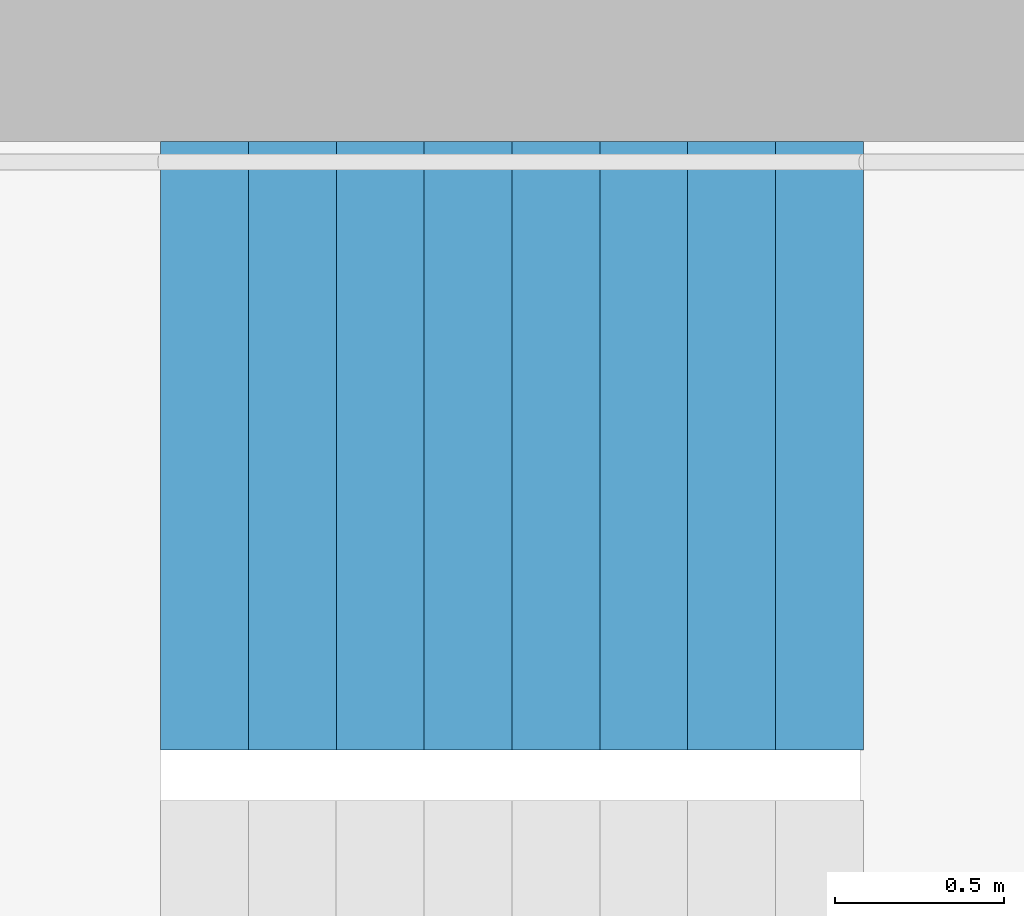
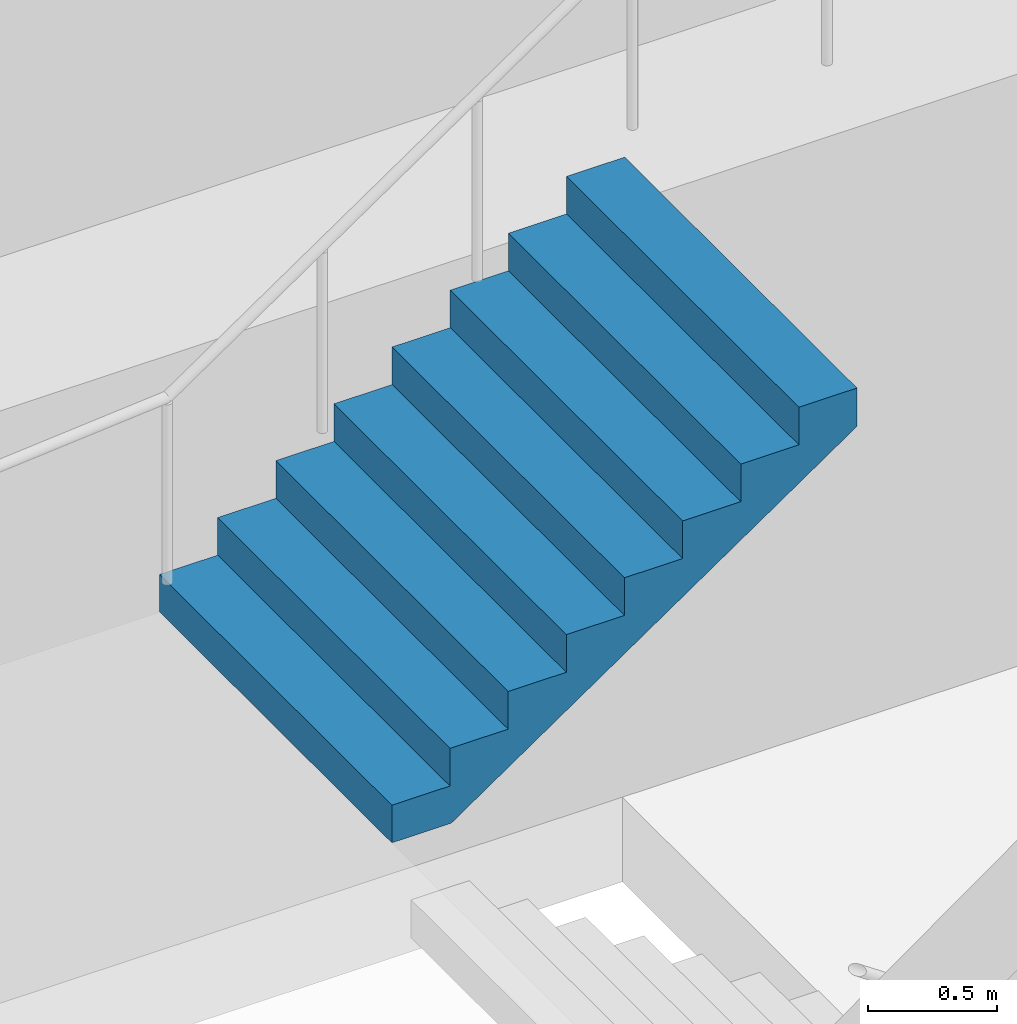
# One storey, part 27 of 28: 1 stair flight, 1 element without a shape of its own.
"""IFC4 building model written with IfcOpenShell, lengths in metres."""

from ifc_helpers import new_model, si_unit, direction, frame, origin, place, context, subcontext, project, spatial, triangles, material, type_object, element, aggregate, save


model = new_model("IFC4")

# Units and contexts
model_context = context("Model", 3, precision=1e-05, world=origin(), true_north=direction((0.0, 1.0)))
body_context = subcontext(model_context, "Body", "Model", "MODEL_VIEW")
ifc_project = project(units=[si_unit("LENGTHUNIT", "METRE"), si_unit("AREAUNIT", "SQUARE_METRE"), si_unit("VOLUMEUNIT", "CUBIC_METRE"), si_unit("PLANEANGLEUNIT", "RADIAN"), si_unit("MASSUNIT", "GRAM", prefix="KILO")], contexts=[model_context])

# Site, building, storey
site_placement = place(None, origin())
site = spatial("IfcSite", under=ifc_project, at=site_placement, CompositionType="ELEMENT")
building_placement = place(site_placement, origin())
building = spatial("IfcBuilding", under=site, at=building_placement, Name="Hakoniwa Tower and Hamabe Station Hall", CompositionType="ELEMENT")
storey_placement = place(building_placement, frame((0.0, 0.0, 42.199951171875)))
storey = spatial("IfcBuildingStorey", under=building, at=storey_placement, Name="L11", CompositionType="ELEMENT", Elevation=42.199951171875)

# Stair, stair flight
ifc_material_1 = material(Name="Concrete C40", Category="concrete")
stair_type = type_object("IfcStairType", Name="ESCAPE STAIR 1800", PredefinedType="HALF_TURN_STAIR", material=ifc_material_1)
stair_placement = place(storey_placement, origin())
stair = element("IfcStair", 1, at=stair_placement, inside=storey, type_object=stair_type, Name="Escape stair ST-3 L11", PredefinedType="HALF_TURN_STAIR")
ifc_material_2 = material(Name="Concrete C40", Category="concrete")
stair_flight_type = type_object("IfcStairFlightType", Name="STAIR FLIGHT 1800", PredefinedType="STRAIGHT", material=ifc_material_2)
stair_flight_placement = place(storey_placement, frame((22.320068359375, 6.60009765625, 1.60009765625), z_axis=(0.0, 0.0, 1.0), x_axis=(1.0, 0.0, 0.0)))
stair_flight = element("IfcStairFlight", 2, at=stair_flight_placement, type_object=stair_flight_type, Name="ST-3 flight 2", NumberOfRisers=9, NumberOfTreads=8, PredefinedType="STRAIGHT", RiserHeight=0.177777778, TreadLength=0.26, context=body_context, shape_type="Tessellation", body=[
    triangles([(0.0, 0.89990234375, 0.0), (0.260009765625, 0.89990234375, 0.0), (0.265625, 0.89990234375, 0.0), (0.52001953125, 0.89990234375, 0.174072265625), (0.780029296875, 0.89990234375, 0.351806640625), (1.0400390625, 0.89990234375, 0.529541015625), (1.300048828125, 0.89990234375, 0.707275390625), (1.56005859375, 0.89990234375, 0.885009765625), (1.820068359375, 0.89990234375, 1.062744140625), (2.080078125, 0.89990234375, 1.24072265625), (2.080078125, 0.89990234375, 1.422119140625), (1.820068359375, 0.89990234375, 1.422119140625), (1.820068359375, 0.89990234375, 1.244384765625), (1.56005859375, 0.89990234375, 1.244384765625), (1.56005859375, 0.89990234375, 1.066650390625), (1.300048828125, 0.89990234375, 1.066650390625), (1.300048828125, 0.89990234375, 0.888916015625), (1.0400390625, 0.89990234375, 0.888916015625), (1.0400390625, 0.89990234375, 0.711181640625), (0.780029296875, 0.89990234375, 0.711181640625), (0.780029296875, 0.89990234375, 0.533447265625), (0.52001953125, 0.89990234375, 0.533447265625), (0.52001953125, 0.89990234375, 0.35546875), (0.265625, 0.89990234375, 0.35546875), (0.260009765625, 0.89990234375, 0.35546875), (0.260009765625, 0.89990234375, 0.177734375), (0.0, 0.89990234375, 0.177734375), (0.0, 0.06005859375, 0.0), (0.260009765625, 0.06005859375, 0.0), (0.265625, 0.06005859375, 0.0), (0.52001953125, 0.06005859375, 0.174072265625), (0.780029296875, 0.06005859375, 0.351806640625), (1.0400390625, 0.06005859375, 0.529541015625), (1.300048828125, 0.06005859375, 0.707275390625), (1.56005859375, 0.06005859375, 0.885009765625), (1.820068359375, 0.06005859375, 1.062744140625), (2.080078125, 0.06005859375, 1.24072265625), (2.080078125, 0.06005859375, 1.422119140625), (1.820068359375, 0.06005859375, 1.422119140625), (1.820068359375, 0.06005859375, 1.244384765625), (1.56005859375, 0.06005859375, 1.244384765625), (1.56005859375, 0.06005859375, 1.066650390625), (1.300048828125, 0.06005859375, 1.066650390625), (1.300048828125, 0.06005859375, 0.888916015625), (1.0400390625, 0.06005859375, 0.888916015625), (1.0400390625, 0.06005859375, 0.711181640625), (0.780029296875, 0.06005859375, 0.711181640625), (0.780029296875, 0.06005859375, 0.533447265625), (0.52001953125, 0.06005859375, 0.533447265625), (0.52001953125, 0.06005859375, 0.35546875), (0.265625, 0.06005859375, 0.35546875), (0.260009765625, 0.06005859375, 0.35546875), (0.260009765625, 0.06005859375, 0.177734375), (0.0, 0.06005859375, 0.177734375), (0.0, 0.04296875, 0.0), (0.260009765625, 0.04296875, 0.0), (0.265625, 0.04296875, 0.0), (0.52001953125, 0.04296875, 0.174072265625), (0.780029296875, 0.04296875, 0.351806640625), (1.0400390625, 0.04296875, 0.529541015625), (1.300048828125, 0.04296875, 0.707275390625), (1.56005859375, 0.04296875, 0.885009765625), (1.820068359375, 0.04296875, 1.062744140625), (2.080078125, 0.04296875, 1.24072265625), (2.080078125, 0.04296875, 1.422119140625), (1.820068359375, 0.04296875, 1.422119140625), (1.820068359375, 0.04296875, 1.244384765625), (1.56005859375, 0.04296875, 1.244384765625), (1.56005859375, 0.04296875, 1.066650390625), (1.300048828125, 0.04296875, 1.066650390625), (1.300048828125, 0.04296875, 0.888916015625), (1.0400390625, 0.04296875, 0.888916015625), (1.0400390625, 0.04296875, 0.711181640625), (0.780029296875, 0.04296875, 0.711181640625), (0.780029296875, 0.04296875, 0.533447265625), (0.52001953125, 0.04296875, 0.533447265625), (0.52001953125, 0.04296875, 0.35546875), (0.265625, 0.04296875, 0.35546875), (0.260009765625, 0.04296875, 0.35546875), (0.260009765625, 0.04296875, 0.177734375), (0.0, 0.04296875, 0.177734375), (0.0, 0.025634765625, 0.0), (0.260009765625, 0.025634765625, 0.0), (0.265625, 0.025634765625, 0.0), (0.52001953125, 0.025634765625, 0.174072265625), (0.780029296875, 0.025634765625, 0.351806640625), (1.0400390625, 0.025634765625, 0.529541015625), (1.300048828125, 0.025634765625, 0.707275390625), (1.56005859375, 0.025634765625, 0.885009765625), (1.820068359375, 0.025634765625, 1.062744140625), (2.080078125, 0.025634765625, 1.24072265625), (2.080078125, 0.025634765625, 1.422119140625), (1.820068359375, 0.025634765625, 1.422119140625), (1.820068359375, 0.025634765625, 1.244384765625), (1.56005859375, 0.025634765625, 1.244384765625), (1.56005859375, 0.025634765625, 1.066650390625), (1.300048828125, 0.025634765625, 1.066650390625), (1.300048828125, 0.025634765625, 0.888916015625), (1.0400390625, 0.025634765625, 0.888916015625), (1.0400390625, 0.025634765625, 0.711181640625), (0.780029296875, 0.025634765625, 0.711181640625), (0.780029296875, 0.025634765625, 0.533447265625), (0.52001953125, 0.025634765625, 0.533447265625), (0.52001953125, 0.025634765625, 0.35546875), (0.265625, 0.025634765625, 0.35546875), (0.260009765625, 0.025634765625, 0.35546875), (0.260009765625, 0.025634765625, 0.177734375), (0.0, 0.025634765625, 0.177734375), (0.0, 0.008544921875, 0.0), (0.260009765625, 0.008544921875, 0.0), (0.265625, 0.008544921875, 0.0), (0.52001953125, 0.008544921875, 0.174072265625), (0.780029296875, 0.008544921875, 0.351806640625), (1.0400390625, 0.008544921875, 0.529541015625), (1.300048828125, 0.008544921875, 0.707275390625), (1.56005859375, 0.008544921875, 0.885009765625), (1.820068359375, 0.008544921875, 1.062744140625), (2.080078125, 0.008544921875, 1.24072265625), (2.080078125, 0.008544921875, 1.422119140625), (1.820068359375, 0.008544921875, 1.422119140625), (1.820068359375, 0.008544921875, 1.244384765625), (1.56005859375, 0.008544921875, 1.244384765625), (1.56005859375, 0.008544921875, 1.066650390625), (1.300048828125, 0.008544921875, 1.066650390625), (1.300048828125, 0.008544921875, 0.888916015625), (1.0400390625, 0.008544921875, 0.888916015625), (1.0400390625, 0.008544921875, 0.711181640625), (0.780029296875, 0.008544921875, 0.711181640625), (0.780029296875, 0.008544921875, 0.533447265625), (0.52001953125, 0.008544921875, 0.533447265625), (0.52001953125, 0.008544921875, 0.35546875), (0.265625, 0.008544921875, 0.35546875), (0.260009765625, 0.008544921875, 0.35546875), (0.260009765625, 0.008544921875, 0.177734375), (0.0, 0.008544921875, 0.177734375), (0.0, -0.008544921875, 0.0), (0.260009765625, -0.008544921875, 0.0), (0.265625, -0.008544921875, 0.0), (0.52001953125, -0.008544921875, 0.174072265625), (0.780029296875, -0.008544921875, 0.351806640625), (1.0400390625, -0.008544921875, 0.529541015625), (1.300048828125, -0.008544921875, 0.707275390625), (1.56005859375, -0.008544921875, 0.885009765625), (1.820068359375, -0.008544921875, 1.062744140625), (2.080078125, -0.008544921875, 1.24072265625), (2.080078125, -0.008544921875, 1.422119140625), (1.820068359375, -0.008544921875, 1.422119140625), (1.820068359375, -0.008544921875, 1.244384765625), (1.56005859375, -0.008544921875, 1.244384765625), (1.56005859375, -0.008544921875, 1.066650390625), (1.300048828125, -0.008544921875, 1.066650390625), (1.300048828125, -0.008544921875, 0.888916015625), (1.0400390625, -0.008544921875, 0.888916015625), (1.0400390625, -0.008544921875, 0.711181640625), (0.780029296875, -0.008544921875, 0.711181640625), (0.780029296875, -0.008544921875, 0.533447265625), (0.52001953125, -0.008544921875, 0.533447265625), (0.52001953125, -0.008544921875, 0.35546875), (0.265625, -0.008544921875, 0.35546875), (0.260009765625, -0.008544921875, 0.35546875), (0.260009765625, -0.008544921875, 0.177734375), (0.0, -0.008544921875, 0.177734375), (0.0, -0.025634765625, 0.0), (0.260009765625, -0.025634765625, 0.0), (0.265625, -0.025634765625, 0.0), (0.52001953125, -0.025634765625, 0.174072265625), (0.780029296875, -0.025634765625, 0.351806640625), (1.0400390625, -0.025634765625, 0.529541015625), (1.300048828125, -0.025634765625, 0.707275390625), (1.56005859375, -0.025634765625, 0.885009765625), (1.820068359375, -0.025634765625, 1.062744140625), (2.080078125, -0.025634765625, 1.24072265625), (2.080078125, -0.025634765625, 1.422119140625), (1.820068359375, -0.025634765625, 1.422119140625), (1.820068359375, -0.025634765625, 1.244384765625), (1.56005859375, -0.025634765625, 1.244384765625), (1.56005859375, -0.025634765625, 1.066650390625), (1.300048828125, -0.025634765625, 1.066650390625), (1.300048828125, -0.025634765625, 0.888916015625), (1.0400390625, -0.025634765625, 0.888916015625), (1.0400390625, -0.025634765625, 0.711181640625), (0.780029296875, -0.025634765625, 0.711181640625), (0.780029296875, -0.025634765625, 0.533447265625), (0.52001953125, -0.025634765625, 0.533447265625), (0.52001953125, -0.025634765625, 0.35546875), (0.265625, -0.025634765625, 0.35546875), (0.260009765625, -0.025634765625, 0.35546875), (0.260009765625, -0.025634765625, 0.177734375), (0.0, -0.025634765625, 0.177734375), (0.0, -0.04296875, 0.0), (0.260009765625, -0.04296875, 0.0), (0.265625, -0.04296875, 0.0), (0.52001953125, -0.04296875, 0.174072265625), (0.780029296875, -0.04296875, 0.351806640625), (1.0400390625, -0.04296875, 0.529541015625), (1.300048828125, -0.04296875, 0.707275390625), (1.56005859375, -0.04296875, 0.885009765625), (1.820068359375, -0.04296875, 1.062744140625), (2.080078125, -0.04296875, 1.24072265625), (2.080078125, -0.04296875, 1.422119140625), (1.820068359375, -0.04296875, 1.422119140625), (1.820068359375, -0.04296875, 1.244384765625), (1.56005859375, -0.04296875, 1.244384765625), (1.56005859375, -0.04296875, 1.066650390625), (1.300048828125, -0.04296875, 1.066650390625), (1.300048828125, -0.04296875, 0.888916015625), (1.0400390625, -0.04296875, 0.888916015625), (1.0400390625, -0.04296875, 0.711181640625), (0.780029296875, -0.04296875, 0.711181640625), (0.780029296875, -0.04296875, 0.533447265625), (0.52001953125, -0.04296875, 0.533447265625), (0.52001953125, -0.04296875, 0.35546875), (0.265625, -0.04296875, 0.35546875), (0.260009765625, -0.04296875, 0.35546875), (0.260009765625, -0.04296875, 0.177734375), (0.0, -0.04296875, 0.177734375), (0.0, -0.06005859375, 0.0), (0.260009765625, -0.06005859375, 0.0), (0.265625, -0.06005859375, 0.0), (0.52001953125, -0.06005859375, 0.174072265625), (0.780029296875, -0.06005859375, 0.351806640625), (1.0400390625, -0.06005859375, 0.529541015625), (1.300048828125, -0.06005859375, 0.707275390625), (1.56005859375, -0.06005859375, 0.885009765625), (1.820068359375, -0.06005859375, 1.062744140625), (2.080078125, -0.06005859375, 1.24072265625), (2.080078125, -0.06005859375, 1.422119140625), (1.820068359375, -0.06005859375, 1.422119140625), (1.820068359375, -0.06005859375, 1.244384765625), (1.56005859375, -0.06005859375, 1.244384765625), (1.56005859375, -0.06005859375, 1.066650390625), (1.300048828125, -0.06005859375, 1.066650390625), (1.300048828125, -0.06005859375, 0.888916015625), (1.0400390625, -0.06005859375, 0.888916015625), (1.0400390625, -0.06005859375, 0.711181640625), (0.780029296875, -0.06005859375, 0.711181640625), (0.780029296875, -0.06005859375, 0.533447265625), (0.52001953125, -0.06005859375, 0.533447265625), (0.52001953125, -0.06005859375, 0.35546875), (0.265625, -0.06005859375, 0.35546875), (0.260009765625, -0.06005859375, 0.35546875), (0.260009765625, -0.06005859375, 0.177734375), (0.0, -0.06005859375, 0.177734375), (0.0, -0.89990234375, 0.0), (0.260009765625, -0.89990234375, 0.0), (0.265625, -0.89990234375, 0.0), (0.52001953125, -0.89990234375, 0.174072265625), (0.780029296875, -0.89990234375, 0.351806640625), (1.0400390625, -0.89990234375, 0.529541015625), (1.300048828125, -0.89990234375, 0.707275390625), (1.56005859375, -0.89990234375, 0.885009765625), (1.820068359375, -0.89990234375, 1.062744140625), (2.080078125, -0.89990234375, 1.24072265625), (2.080078125, -0.89990234375, 1.422119140625), (1.820068359375, -0.89990234375, 1.422119140625), (1.820068359375, -0.89990234375, 1.244384765625), (1.56005859375, -0.89990234375, 1.244384765625), (1.56005859375, -0.89990234375, 1.066650390625), (1.300048828125, -0.89990234375, 1.066650390625), (1.300048828125, -0.89990234375, 0.888916015625), (1.0400390625, -0.89990234375, 0.888916015625), (1.0400390625, -0.89990234375, 0.711181640625), (0.780029296875, -0.89990234375, 0.711181640625), (0.780029296875, -0.89990234375, 0.533447265625), (0.52001953125, -0.89990234375, 0.533447265625), (0.52001953125, -0.89990234375, 0.35546875), (0.265625, -0.89990234375, 0.35546875), (0.260009765625, -0.89990234375, 0.35546875), (0.260009765625, -0.89990234375, 0.177734375), (0.0, -0.89990234375, 0.177734375)], [[2, 27, 26], [245, 269, 270], [2, 1, 27], [245, 270, 244], [3, 25, 24], [246, 267, 268], [3, 26, 25], [246, 268, 269], [3, 2, 26], [246, 269, 245], [4, 24, 23], [247, 266, 267], [4, 3, 24], [247, 267, 246], [5, 22, 21], [248, 264, 265], [5, 23, 22], [248, 265, 266], [5, 4, 23], [248, 266, 247], [6, 20, 19], [249, 262, 263], [6, 21, 20], [249, 263, 264], [6, 5, 21], [249, 264, 248], [7, 18, 17], [250, 260, 261], [7, 19, 18], [250, 261, 262], [7, 6, 19], [250, 262, 249], [8, 16, 15], [251, 258, 259], [8, 17, 16], [251, 259, 260], [8, 7, 17], [251, 260, 250], [9, 14, 13], [252, 256, 257], [9, 15, 14], [252, 257, 258], [9, 8, 15], [252, 258, 251], [10, 12, 11], [253, 254, 255], [10, 13, 12], [253, 255, 256], [10, 9, 13], [253, 256, 252], [1, 2, 29], [1, 29, 28], [28, 29, 56], [28, 56, 55], [55, 56, 83], [55, 83, 82], [82, 83, 110], [82, 110, 109], [109, 110, 137], [109, 137, 136], [136, 137, 164], [136, 164, 163], [163, 164, 191], [163, 191, 190], [190, 191, 218], [190, 218, 217], [217, 218, 245], [217, 245, 244], [2, 3, 30], [2, 30, 29], [29, 30, 57], [29, 57, 56], [56, 57, 84], [56, 84, 83], [83, 84, 111], [83, 111, 110], [110, 111, 138], [110, 138, 137], [137, 138, 165], [137, 165, 164], [164, 165, 192], [164, 192, 191], [191, 192, 219], [191, 219, 218], [218, 219, 246], [218, 246, 245], [3, 4, 31], [3, 31, 30], [30, 31, 58], [30, 58, 57], [57, 58, 85], [57, 85, 84], [84, 85, 112], [84, 112, 111], [111, 112, 139], [111, 139, 138], [138, 139, 166], [138, 166, 165], [165, 166, 193], [165, 193, 192], [192, 193, 220], [192, 220, 219], [219, 220, 247], [219, 247, 246], [4, 5, 32], [4, 32, 31], [31, 32, 59], [31, 59, 58], [58, 59, 86], [58, 86, 85], [85, 86, 113], [85, 113, 112], [112, 113, 140], [112, 140, 139], [139, 140, 167], [139, 167, 166], [166, 167, 194], [166, 194, 193], [193, 194, 221], [193, 221, 220], [220, 221, 248], [220, 248, 247], [5, 6, 33], [5, 33, 32], [32, 33, 60], [32, 60, 59], [59, 60, 87], [59, 87, 86], [86, 87, 114], [86, 114, 113], [113, 114, 141], [113, 141, 140], [140, 141, 168], [140, 168, 167], [167, 168, 195], [167, 195, 194], [194, 195, 222], [194, 222, 221], [221, 222, 249], [221, 249, 248], [6, 7, 34], [6, 34, 33], [33, 34, 61], [33, 61, 60], [60, 61, 88], [60, 88, 87], [87, 88, 115], [87, 115, 114], [114, 115, 142], [114, 142, 141], [141, 142, 169], [141, 169, 168], [168, 169, 196], [168, 196, 195], [195, 196, 223], [195, 223, 222], [222, 223, 250], [222, 250, 249], [7, 8, 35], [7, 35, 34], [34, 35, 62], [34, 62, 61], [61, 62, 89], [61, 89, 88], [88, 89, 116], [88, 116, 115], [115, 116, 143], [115, 143, 142], [142, 143, 170], [142, 170, 169], [169, 170, 197], [169, 197, 196], [196, 197, 224], [196, 224, 223], [223, 224, 251], [223, 251, 250], [8, 9, 36], [8, 36, 35], [35, 36, 63], [35, 63, 62], [62, 63, 90], [62, 90, 89], [89, 90, 117], [89, 117, 116], [116, 117, 144], [116, 144, 143], [143, 144, 171], [143, 171, 170], [170, 171, 198], [170, 198, 197], [197, 198, 225], [197, 225, 224], [224, 225, 252], [224, 252, 251], [9, 10, 37], [9, 37, 36], [36, 37, 64], [36, 64, 63], [63, 64, 91], [63, 91, 90], [90, 91, 118], [90, 118, 117], [117, 118, 145], [117, 145, 144], [144, 145, 172], [144, 172, 171], [171, 172, 199], [171, 199, 198], [198, 199, 226], [198, 226, 225], [225, 226, 253], [225, 253, 252], [10, 11, 38], [10, 38, 37], [37, 38, 65], [37, 65, 64], [64, 65, 92], [64, 92, 91], [91, 92, 119], [91, 119, 118], [118, 119, 146], [118, 146, 145], [145, 146, 173], [145, 173, 172], [172, 173, 200], [172, 200, 199], [199, 200, 227], [199, 227, 226], [226, 227, 254], [226, 254, 253], [11, 12, 39], [11, 39, 38], [38, 39, 66], [38, 66, 65], [65, 66, 93], [65, 93, 92], [92, 93, 120], [92, 120, 119], [119, 120, 147], [119, 147, 146], [146, 147, 174], [146, 174, 173], [173, 174, 201], [173, 201, 200], [200, 201, 228], [200, 228, 227], [227, 228, 255], [227, 255, 254], [12, 13, 40], [12, 40, 39], [39, 40, 67], [39, 67, 66], [66, 67, 94], [66, 94, 93], [93, 94, 121], [93, 121, 120], [120, 121, 148], [120, 148, 147], [147, 148, 175], [147, 175, 174], [174, 175, 202], [174, 202, 201], [201, 202, 229], [201, 229, 228], [228, 229, 256], [228, 256, 255], [13, 14, 41], [13, 41, 40], [40, 41, 68], [40, 68, 67], [67, 68, 95], [67, 95, 94], [94, 95, 122], [94, 122, 121], [121, 122, 149], [121, 149, 148], [148, 149, 176], [148, 176, 175], [175, 176, 203], [175, 203, 202], [202, 203, 230], [202, 230, 229], [229, 230, 257], [229, 257, 256], [14, 15, 42], [14, 42, 41], [41, 42, 69], [41, 69, 68], [68, 69, 96], [68, 96, 95], [95, 96, 123], [95, 123, 122], [122, 123, 150], [122, 150, 149], [149, 150, 177], [149, 177, 176], [176, 177, 204], [176, 204, 203], [203, 204, 231], [203, 231, 230], [230, 231, 258], [230, 258, 257], [15, 16, 43], [15, 43, 42], [42, 43, 70], [42, 70, 69], [69, 70, 97], [69, 97, 96], [96, 97, 124], [96, 124, 123], [123, 124, 151], [123, 151, 150], [150, 151, 178], [150, 178, 177], [177, 178, 205], [177, 205, 204], [204, 205, 232], [204, 232, 231], [231, 232, 259], [231, 259, 258], [16, 17, 44], [16, 44, 43], [43, 44, 71], [43, 71, 70], [70, 71, 98], [70, 98, 97], [97, 98, 125], [97, 125, 124], [124, 125, 152], [124, 152, 151], [151, 152, 179], [151, 179, 178], [178, 179, 206], [178, 206, 205], [205, 206, 233], [205, 233, 232], [232, 233, 260], [232, 260, 259], [17, 18, 45], [17, 45, 44], [44, 45, 72], [44, 72, 71], [71, 72, 99], [71, 99, 98], [98, 99, 126], [98, 126, 125], [125, 126, 153], [125, 153, 152], [152, 153, 180], [152, 180, 179], [179, 180, 207], [179, 207, 206], [206, 207, 234], [206, 234, 233], [233, 234, 261], [233, 261, 260], [18, 19, 46], [18, 46, 45], [45, 46, 73], [45, 73, 72], [72, 73, 100], [72, 100, 99], [99, 100, 127], [99, 127, 126], [126, 127, 154], [126, 154, 153], [153, 154, 181], [153, 181, 180], [180, 181, 208], [180, 208, 207], [207, 208, 235], [207, 235, 234], [234, 235, 262], [234, 262, 261], [19, 20, 47], [19, 47, 46], [46, 47, 74], [46, 74, 73], [73, 74, 101], [73, 101, 100], [100, 101, 128], [100, 128, 127], [127, 128, 155], [127, 155, 154], [154, 155, 182], [154, 182, 181], [181, 182, 209], [181, 209, 208], [208, 209, 236], [208, 236, 235], [235, 236, 263], [235, 263, 262], [20, 21, 48], [20, 48, 47], [47, 48, 75], [47, 75, 74], [74, 75, 102], [74, 102, 101], [101, 102, 129], [101, 129, 128], [128, 129, 156], [128, 156, 155], [155, 156, 183], [155, 183, 182], [182, 183, 210], [182, 210, 209], [209, 210, 237], [209, 237, 236], [236, 237, 264], [236, 264, 263], [21, 22, 49], [21, 49, 48], [48, 49, 76], [48, 76, 75], [75, 76, 103], [75, 103, 102], [102, 103, 130], [102, 130, 129], [129, 130, 157], [129, 157, 156], [156, 157, 184], [156, 184, 183], [183, 184, 211], [183, 211, 210], [210, 211, 238], [210, 238, 237], [237, 238, 265], [237, 265, 264], [22, 23, 50], [22, 50, 49], [49, 50, 77], [49, 77, 76], [76, 77, 104], [76, 104, 103], [103, 104, 131], [103, 131, 130], [130, 131, 158], [130, 158, 157], [157, 158, 185], [157, 185, 184], [184, 185, 212], [184, 212, 211], [211, 212, 239], [211, 239, 238], [238, 239, 266], [238, 266, 265], [23, 24, 51], [23, 51, 50], [50, 51, 78], [50, 78, 77], [77, 78, 105], [77, 105, 104], [104, 105, 132], [104, 132, 131], [131, 132, 159], [131, 159, 158], [158, 159, 186], [158, 186, 185], [185, 186, 213], [185, 213, 212], [212, 213, 240], [212, 240, 239], [239, 240, 267], [239, 267, 266], [24, 25, 52], [24, 52, 51], [51, 52, 79], [51, 79, 78], [78, 79, 106], [78, 106, 105], [105, 106, 133], [105, 133, 132], [132, 133, 160], [132, 160, 159], [159, 160, 187], [159, 187, 186], [186, 187, 214], [186, 214, 213], [213, 214, 241], [213, 241, 240], [240, 241, 268], [240, 268, 267], [25, 26, 53], [25, 53, 52], [52, 53, 80], [52, 80, 79], [79, 80, 107], [79, 107, 106], [106, 107, 134], [106, 134, 133], [133, 134, 161], [133, 161, 160], [160, 161, 188], [160, 188, 187], [187, 188, 215], [187, 215, 214], [214, 215, 242], [214, 242, 241], [241, 242, 269], [241, 269, 268], [26, 27, 54], [26, 54, 53], [53, 54, 81], [53, 81, 80], [80, 81, 108], [80, 108, 107], [107, 108, 135], [107, 135, 134], [134, 135, 162], [134, 162, 161], [161, 162, 189], [161, 189, 188], [188, 189, 216], [188, 216, 215], [215, 216, 243], [215, 243, 242], [242, 243, 270], [242, 270, 269], [27, 1, 28], [27, 28, 54], [54, 28, 55], [54, 55, 81], [81, 55, 82], [81, 82, 108], [108, 82, 109], [108, 109, 135], [135, 109, 136], [135, 136, 162], [162, 136, 163], [162, 163, 189], [189, 163, 190], [189, 190, 216], [216, 190, 217], [216, 217, 243], [243, 217, 244], [243, 244, 270]], closed=True),
])
aggregate(stair, [stair_flight])

save(model, "model.ifc")
